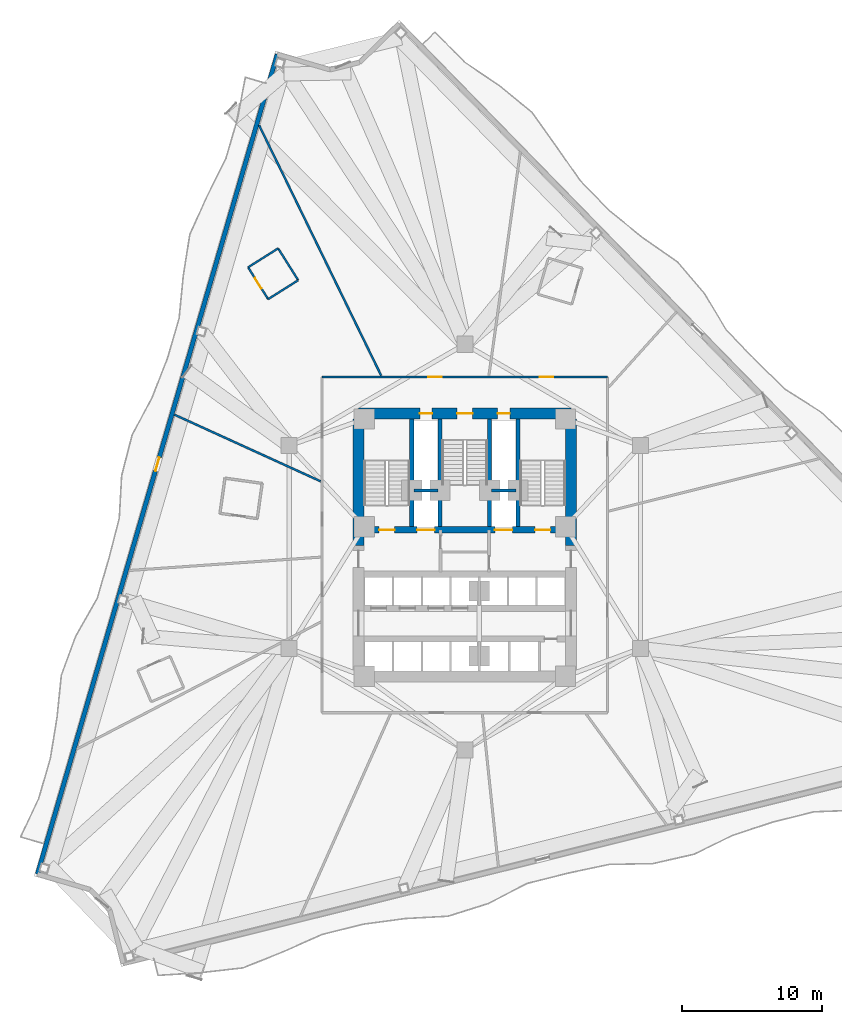
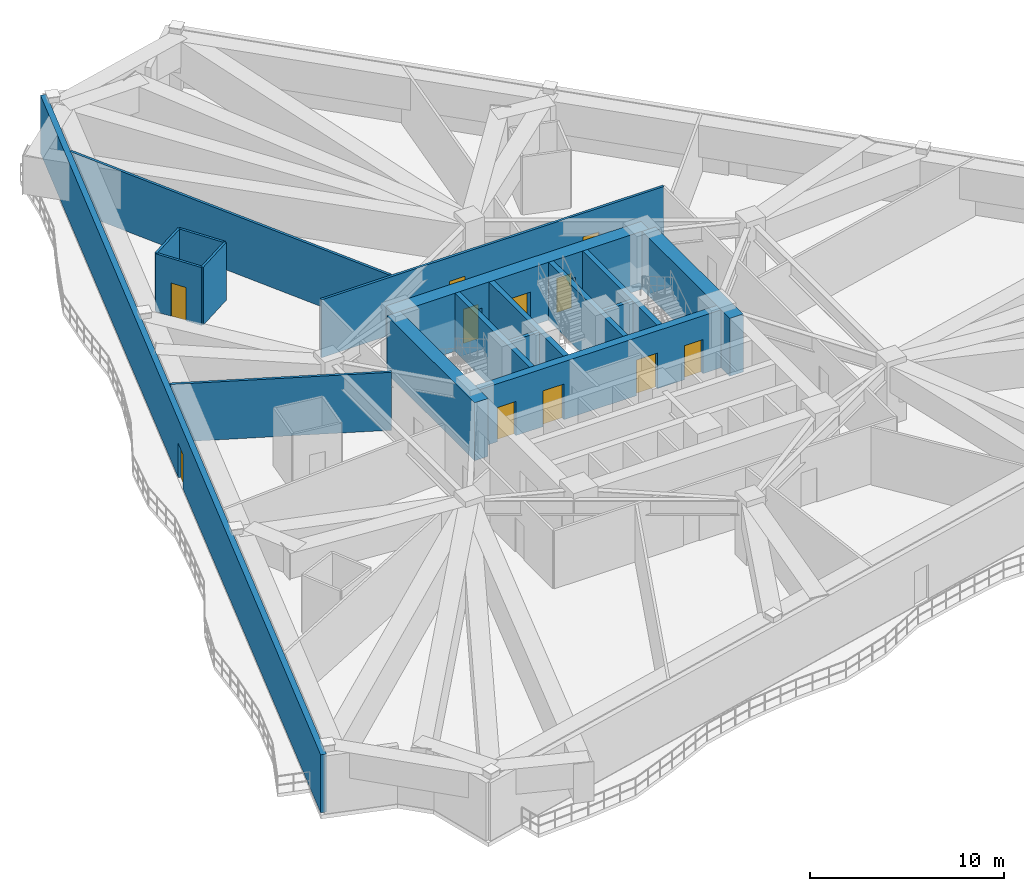
# One storey, part 9 of 14: 18 walls, 11 doors, 11 openings.
"""IFC4 building model written with IfcOpenShell, lengths in metres."""

from ifc_helpers import new_model, si_unit, direction, frame, frame_2d, origin, place, context, subcontext, project, spatial, rectangle, extrude, material, layer, layer_set, type_object, element, fill, save


model = new_model("IFC4")

# Units and contexts
model_context = context("Model", 3, precision=1e-05, world=origin(), true_north=direction((0.0, 1.0)))
body_context = subcontext(model_context, "Body", "Model", "MODEL_VIEW")
ifc_project = project(units=[si_unit("LENGTHUNIT", "METRE"), si_unit("AREAUNIT", "SQUARE_METRE"), si_unit("VOLUMEUNIT", "CUBIC_METRE"), si_unit("PLANEANGLEUNIT", "RADIAN"), si_unit("MASSUNIT", "GRAM", prefix="KILO")], contexts=[model_context])

# Site, building, storey
site_placement = place(None, origin())
site = spatial("IfcSite", under=ifc_project, at=site_placement, CompositionType="ELEMENT")
building_placement = place(site_placement, origin())
building = spatial("IfcBuilding", under=site, at=building_placement, Name="Apsidion Concourse Tower", CompositionType="ELEMENT")
storey_placement = place(building_placement, frame((0.0, 0.0, 123.0)))
storey = spatial("IfcBuildingStorey", under=building, at=storey_placement, Name="L28", CompositionType="ELEMENT", Elevation=123.0)

# Wall, opening, door
ifc_material_1 = material(Name="Precast concrete C40/50", Category="concrete")
ifc_layer_1 = layer(ifc_material_1, 0.320068359375)
ifc_layer_set_1 = layer_set([ifc_layer_1], Name="Precast concrete C40/50")
wall_type_1 = type_object("IfcWallType", Name="WL-EXT-320", PredefinedType="STANDARD", material=ifc_layer_set_1)
wall_1_placement = place(storey_placement, frame((-30.55908203125, -23.389404296875, 0.0), z_axis=(0.0, 0.0, 1.0), x_axis=(0.280769703207, 0.95977516834, 0.0)))
wall_1 = element("IfcWall", 1, at=wall_1_placement, inside=storey, type_object=wall_type_1, Name="L28 Precast Stone Facade Wall 09", PredefinedType="STANDARD", context=body_context, shape_type="SweptSolid", body=[
    extrude(rectangle(XDim=61.07568359375, YDim=0.320068359375, at=frame_2d((30.537841796875, 0.0))), origin(), (0.0, 0.0, 1.0), 3.64990234375),
])
opening_1_placement = place(wall_1_placement, frame((30.037841796875, 0.0, 0.0)))
opening_1 = element("IfcOpeningElement", 2, at=opening_1_placement, cuts=wall_1, Name="Opening D-T1L", PredefinedType="OPENING", context=body_context, shape_type="SweptSolid", body=[
    extrude(rectangle(XDim=1.0, YDim=2.14990234375, at=frame_2d((0.5, 1.074951171875))), frame((0.0, 0.169921875, 0.0), z_axis=(0.0, -1.0, 0.0), x_axis=(1.0, 0.0, 0.0)), (0.0, 0.0, 1.0), 0.340087890625),
])
ifc_material_2 = material(Name="Anodised aluminium EN AW-6063 T6", Category="aluminium")
door_type_1 = type_object("IfcDoorType", Name="DR-TER-1022L", OperationType="SINGLE_SWING_LEFT", PredefinedType="DOOR", material=ifc_material_2)
door_1_placement = place(opening_1_placement, origin())
door_1 = element("IfcDoor", 3, at=door_1_placement, inside=storey, type_object=door_type_1, Name="L28 Balcony Access Door 1", OperationType="SINGLE_SWING_LEFT", OverallHeight=2.14990234375, OverallWidth=1.0, PredefinedType="DOOR", context=body_context, shape_type="SweptSolid", body=[
    extrude(rectangle(XDim=1.0, YDim=2.14990234375, at=frame_2d((0.5, 1.074951171875))), frame((0.0, 0.02490234375, 0.0), z_axis=(0.0, -1.0, 0.0), x_axis=(1.0, 0.0, 0.0)), (0.0, 0.0, 1.0), 0.050048828125),
])
fill(opening_1, door_1)

# Walls
ifc_material_3 = material(Name="Gypsum plasterboard partition")
ifc_layer_2 = layer(ifc_material_3, 0.139892578125)
ifc_layer_set_2 = layer_set([ifc_layer_2], Name="Gypsum plasterboard partition")
wall_type_2 = type_object("IfcWallType", Name="WL-INT-PAR-140", PredefinedType="PARTITIONING", material=ifc_layer_set_2)
wall_2_placement = place(storey_placement, frame((-11.913330078125, 19.077392578125, 0.0), z_axis=(0.0, 0.0, 1.0), x_axis=(-0.532834933534, 0.846219199502, 0.0)))
element("IfcWall", 4, at=wall_2_placement, inside=storey, type_object=wall_type_2, Name="L28 Interior Partition WL-L28-POD-ENS08-S1", PredefinedType="PARTITIONING", context=body_context, shape_type="SweptSolid", body=[
    extrude(rectangle(XDim=2.68994140625, YDim=0.139892578125, at=frame_2d((1.344970703125, 0.0))), origin(), (0.0, 0.0, 1.0), 3.64990234375),
])
wall_3_placement = place(storey_placement, frame((-13.3466796875, 21.353759765625, 0.0), z_axis=(0.0, 0.0, 1.0), x_axis=(-0.846200737115, -0.532864253358, 0.0)))
element("IfcWall", 5, at=wall_3_placement, inside=storey, type_object=wall_type_2, Name="L28 Interior Partition WL-L28-POD-ENS08-S2", PredefinedType="PARTITIONING", context=body_context, shape_type="SweptSolid", body=[
    extrude(rectangle(XDim=2.5400390625, YDim=0.139892578125, at=frame_2d((1.27001953125, 0.0))), origin(), (0.0, 0.0, 1.0), 3.64990234375),
])

# Wall, opening, door
wall_4_placement = place(storey_placement, frame((-15.49609375, 20.000244140625, 0.0), z_axis=(0.0, 0.0, 1.0), x_axis=(0.532875857991, -0.846193429407, 0.0)))
wall_4 = element("IfcWall", 6, at=wall_4_placement, inside=storey, type_object=wall_type_2, Name="L28 Interior Partition WL-L28-POD-ENS08-S3", PredefinedType="PARTITIONING", context=body_context, shape_type="SweptSolid", body=[
    extrude(rectangle(XDim=2.68994140625, YDim=0.139892578125, at=frame_2d((1.344970703125, 0.0))), origin(), (0.0, 0.0, 1.0), 3.64990234375),
])
opening_2_placement = place(wall_4_placement, frame((0.905029296875, 0.0, 0.0)))
opening_2 = element("IfcOpeningElement", 7, at=opening_2_placement, cuts=wall_4, Name="Opening D-03L", PredefinedType="OPENING", context=body_context, shape_type="SweptSolid", body=[
    extrude(rectangle(XDim=0.8798828125, YDim=2.10009765625, at=frame_2d((0.43994140625, 1.050048828125))), frame((0.0, 0.080078125, 0.0), z_axis=(0.0, -1.0, 0.0), x_axis=(1.0, 0.0, 0.0)), (0.0, 0.0, 1.0), 0.159912109375),
])
door_type_2 = type_object("IfcDoorType", Name="DR-INT-D03L", OperationType="SINGLE_SWING_LEFT", PredefinedType="DOOR", material=ifc_material_2)
door_2_placement = place(opening_2_placement, origin())
door_2 = element("IfcDoor", 8, at=door_2_placement, inside=storey, type_object=door_type_2, Name="L28 Guest En-Suite Bathroom Door ENS08", OperationType="SINGLE_SWING_LEFT", OverallHeight=2.10009765625, OverallWidth=0.8798828125, PredefinedType="DOOR", context=body_context, shape_type="SweptSolid", body=[
    extrude(rectangle(XDim=0.8798828125, YDim=2.10009765625, at=frame_2d((0.43994140625, 1.050048828125))), frame((0.0, 0.02490234375, 0.0), z_axis=(0.0, -1.0, 0.0), x_axis=(1.0, 0.0, 0.0)), (0.0, 0.0, 1.0), 0.050048828125),
])
fill(opening_2, door_2)

# Wall
wall_5_placement = place(storey_placement, frame((-14.062744140625, 17.72412109375, 0.0), z_axis=(0.0, 0.0, 1.0), x_axis=(0.846244075981, 0.53279542403, 0.0)))
element("IfcWall", 9, at=wall_5_placement, inside=storey, type_object=wall_type_2, Name="L28 Interior Partition WL-L28-POD-ENS08-S4", PredefinedType="PARTITIONING", context=body_context, shape_type="SweptSolid", body=[
    extrude(rectangle(XDim=2.5400390625, YDim=0.139892578125, at=frame_2d((1.27001953125, 0.0))), origin(), (0.0, 0.0, 1.0), 3.64990234375),
])

# Wall, openings, doors
ifc_layer_3 = layer(ifc_material_3, 0.14990234375)
ifc_layer_set_3 = layer_set([ifc_layer_3], Name="Gypsum plasterboard partition")
wall_type_3 = type_object("IfcWallType", Name="WL-INT-PAR-150", PredefinedType="PARTITIONING", material=ifc_layer_set_3)
wall_6_placement = place(storey_placement, frame((-10.199951171875, 12.14990234375, 0.0), z_axis=(0.0, 0.0, 1.0), x_axis=(1.0, 0.0, 0.0)))
wall_6 = element("IfcWall", 10, at=wall_6_placement, inside=storey, type_object=wall_type_3, Name="L28 Interior Partition WL-L28-CORR-01", PredefinedType="PARTITIONING", context=body_context, shape_type="SweptSolid", body=[
    extrude(rectangle(XDim=20.39990234375, YDim=0.14990234375, at=frame_2d((10.199951171875, 0.0))), origin(), (0.0, 0.0, 1.0), 3.64990234375),
])
opening_3_placement = place(wall_6_placement, frame((15.557373046875, 0.0, 0.0)))
opening_3 = element("IfcOpeningElement", 11, at=opening_3_placement, cuts=wall_6, Name="Opening D-01L", PredefinedType="OPENING", context=body_context, shape_type="SweptSolid", body=[
    extrude(rectangle(XDim=0.949951171875, YDim=2.14990234375, at=frame_2d((0.47509765625, 1.074951171875))), frame((0.0, 0.0849609375, 0.0), z_axis=(0.0, -1.0, 0.0), x_axis=(1.0, 0.0, 0.0)), (0.0, 0.0, 1.0), 0.169921875),
])
opening_4_placement = place(wall_6_placement, frame((7.601318359375, 0.0, 0.0)))
opening_4 = element("IfcOpeningElement", 12, at=opening_4_placement, cuts=wall_6, Name="Opening D-01R", PredefinedType="OPENING", context=body_context, shape_type="SweptSolid", body=[
    extrude(rectangle(XDim=0.949951171875, YDim=2.14990234375, at=frame_2d((0.47509765625, 1.074951171875))), frame((0.0, 0.0849609375, 0.0), z_axis=(0.0, -1.0, 0.0), x_axis=(1.0, 0.0, 0.0)), (0.0, 0.0, 1.0), 0.169921875),
])
ifc_material_4 = material(Name="Brushed stainless steel 316", Category="steel")
door_type_3 = type_object("IfcDoorType", Name="DR-INT-D01L", OperationType="SINGLE_SWING_LEFT", PredefinedType="DOOR", material=ifc_material_4)
door_3_placement = place(opening_3_placement, origin())
door_3 = element("IfcDoor", 13, at=door_3_placement, inside=storey, type_object=door_type_3, Name="L28 Corridor Entry Door 07", OperationType="SINGLE_SWING_LEFT", OverallHeight=2.14990234375, OverallWidth=0.949951171875, PredefinedType="DOOR", context=body_context, shape_type="SweptSolid", body=[
    extrude(rectangle(XDim=0.949951171875, YDim=2.14990234375, at=frame_2d((0.47509765625, 1.074951171875))), frame((0.0, 0.02490234375, 0.0), z_axis=(0.0, -1.0, 0.0), x_axis=(1.0, 0.0, 0.0)), (0.0, 0.0, 1.0), 0.050048828125),
])
fill(opening_3, door_3)
door_type_4 = type_object("IfcDoorType", Name="DR-INT-D01R", OperationType="SINGLE_SWING_RIGHT", PredefinedType="DOOR", material=ifc_material_4)
door_4_placement = place(opening_4_placement, origin())
door_4 = element("IfcDoor", 14, at=door_4_placement, inside=storey, type_object=door_type_4, Name="L28 Corridor Entry Door 08", OperationType="SINGLE_SWING_RIGHT", OverallHeight=2.14990234375, OverallWidth=0.949951171875, PredefinedType="DOOR", context=body_context, shape_type="SweptSolid", body=[
    extrude(rectangle(XDim=0.949951171875, YDim=2.14990234375, at=frame_2d((0.47509765625, 1.074951171875))), frame((0.0, 0.02490234375, 0.0), z_axis=(0.0, -1.0, 0.0), x_axis=(1.0, 0.0, 0.0)), (0.0, 0.0, 1.0), 0.050048828125),
])
fill(opening_4, door_4)

# Walls
wall_7_placement = place(storey_placement, frame((-5.977294921875, 12.2548828125, 0.0), z_axis=(0.0, 0.0, 1.0), x_axis=(-0.438363997838, 0.89879753304, 0.0)))
element("IfcWall", 15, at=wall_7_placement, inside=storey, type_object=wall_type_3, Name="L28 Interior Partition WL-L28-RAD-04-1", PredefinedType="PARTITIONING", context=body_context, shape_type="SweptSolid", body=[
    extrude(rectangle(XDim=19.92333984375, YDim=0.14990234375, at=frame_2d((9.961669921875, 0.0))), origin(), (0.0, 0.0, 1.0), 3.64990234375),
])
wall_8_placement = place(storey_placement, frame((-10.304931640625, 4.6962890625, 0.0), z_axis=(0.0, 0.0, 1.0), x_axis=(-0.909960939079, 0.414693970719, 0.0)))
element("IfcWall", 16, at=wall_8_placement, inside=storey, type_object=wall_type_3, Name="L28 Interior Partition WL-L28-RAD-05-1", PredefinedType="PARTITIONING", context=body_context, shape_type="SweptSolid", body=[
    extrude(rectangle(XDim=11.49609375, YDim=0.14990234375, at=frame_2d((5.748046875, 0.0))), origin(), (0.0, 0.0, 1.0), 3.64990234375),
])
ifc_layer_4 = layer(ifc_material_3, 0.199951171875)
ifc_layer_set_4 = layer_set([ifc_layer_4], Name="Gypsum plasterboard partition")
wall_type_4 = type_object("IfcWallType", Name="WL-INT-PAR-200", PredefinedType="PARTITIONING", material=ifc_layer_set_4)
for number, where, z_axis, x_axis, name in (
    (17, (-3.64990234375, 4.050048828125, 0.0), (0.0, 0.0, 1.0), (1.0, 0.0, 0.0), "L28 Interior Partition WL-L28-FF1-N"),
    (18, (1.919921875, 4.050048828125, 0.0), (0.0, 0.0, 1.0), (1.0, 0.0, 0.0), "L28 Interior Partition WL-L28-FF2-N"),
):
    element("IfcWall", number, at=place(storey_placement, frame(where, z_axis=z_axis, x_axis=x_axis)), inside=storey, type_object=wall_type_4, Name=name, PredefinedType="PARTITIONING", context=body_context, shape_type="SweptSolid", body=[
        extrude(rectangle(XDim=1.72998046875, YDim=0.199951171875, at=frame_2d((0.864990234375, 0.0))), origin(), (0.0, 0.0, 1.0), 3.64990234375),
    ])
ifc_material_5 = material(Name="Concrete C50/60", Category="concrete")
ifc_layer_5 = layer(ifc_material_5, 0.300048828125)
ifc_layer_set_5 = layer_set([ifc_layer_5], Name="Concrete C50/60")
wall_type_5 = type_object("IfcWallType", Name="WL-SH-300", PredefinedType="SHEAR", material=ifc_layer_set_5)
for number, where, z_axis, x_axis, name in (
    (19, (-3.800048828125, 1.449951171875, 0.0), (0.0, 0.0, 1.0), (0.0, 1.0, 0.0), "L28 Central Core Shear Wall V1"),
    (20, (-1.77490234375, 1.449951171875, 0.0), (0.0, 0.0, 1.0), (0.0, 1.0, 0.0), "L28 Central Core Shear Wall V2"),
    (21, (1.77490234375, 1.449951171875, 0.0), (0.0, 0.0, 1.0), (0.0, 1.0, 0.0), "L28 Central Core Shear Wall V3"),
    (22, (3.800048828125, 1.449951171875, 0.0), (0.0, 0.0, 1.0), (0.0, 1.0, 0.0), "L28 Central Core Shear Wall V4"),
):
    element("IfcWall", number, at=place(storey_placement, frame(where, z_axis=z_axis, x_axis=x_axis)), inside=storey, type_object=wall_type_5, Name=name, PredefinedType="SHEAR", context=body_context, shape_type="SweptSolid", body=[
        extrude(rectangle(XDim=7.699951171875, YDim=0.300048828125, at=frame_2d((3.85009765625, 0.0))), origin(), (0.0, 0.0, 1.0), 3.64990234375),
    ])

# Wall, openings, doors
ifc_material_6 = material(Name="Concrete C60/75", Category="concrete")
ifc_layer_6 = layer(ifc_material_6, 0.449951171875)
ifc_layer_set_6 = layer_set([ifc_layer_6], Name="Concrete C60/75")
wall_type_6 = type_object("IfcWallType", Name="WL-SH-450", PredefinedType="SHEAR", material=ifc_layer_set_6)
wall_9_placement = place(storey_placement, frame((-7.199951171875, 1.22509765625, 0.0), z_axis=(0.0, 0.0, 1.0), x_axis=(1.0, 0.0, 0.0)))
wall_9 = element("IfcWall", 23, at=wall_9_placement, inside=storey, type_object=wall_type_6, Name="L28 Central Core Shear Wall M1", PredefinedType="SHEAR", context=body_context, shape_type="SweptSolid", body=[
    extrude(rectangle(XDim=14.39990234375, YDim=0.449951171875, at=frame_2d((7.199951171875, 0.0))), origin(), (0.0, 0.0, 1.0), 3.64990234375),
])
opening_5_placement = place(wall_9_placement, frame((3.794921875, 0.0, 0.0)))
opening_5 = element("IfcOpeningElement", 24, at=opening_5_placement, cuts=wall_9, Name="Opening LD-FF", PredefinedType="OPENING", context=body_context, shape_type="SweptSolid", body=[
    extrude(rectangle(XDim=1.25, YDim=2.25, at=frame_2d((0.625, 1.125))), frame((0.0, 0.23486328125, 0.0), z_axis=(0.0, -1.0, 0.0), x_axis=(1.0, 0.0, 0.0)), (0.0, 0.0, 1.0), 0.469970703125),
])
opening_6_placement = place(wall_9_placement, frame((9.35498046875, 0.0, 0.0)))
opening_6 = element("IfcOpeningElement", 25, at=opening_6_placement, cuts=wall_9, Name="Opening LD-FF", PredefinedType="OPENING", context=body_context, shape_type="SweptSolid", body=[
    extrude(rectangle(XDim=1.25, YDim=2.25, at=frame_2d((0.625, 1.125))), frame((0.0, 0.23486328125, 0.0), z_axis=(0.0, -1.0, 0.0), x_axis=(1.0, 0.0, 0.0)), (0.0, 0.0, 1.0), 0.469970703125),
])
opening_7_placement = place(wall_9_placement, frame((1.074951171875, 0.0, 0.0)))
opening_7 = element("IfcOpeningElement", 26, at=opening_7_placement, cuts=wall_9, Name="Opening D-STL", PredefinedType="OPENING", context=body_context, shape_type="SweptSolid", body=[
    extrude(rectangle(XDim=1.10009765625, YDim=2.14990234375, at=frame_2d((0.550048828125, 1.074951171875))), frame((0.0, 0.23486328125, 0.0), z_axis=(0.0, -1.0, 0.0), x_axis=(1.0, 0.0, 0.0)), (0.0, 0.0, 1.0), 0.469970703125),
])
opening_8_placement = place(wall_9_placement, frame((12.22509765625, 0.0, 0.0)))
opening_8 = element("IfcOpeningElement", 27, at=opening_8_placement, cuts=wall_9, Name="Opening D-STR", PredefinedType="OPENING", context=body_context, shape_type="SweptSolid", body=[
    extrude(rectangle(XDim=1.10009765625, YDim=2.14990234375, at=frame_2d((0.550048828125, 1.074951171875))), frame((0.0, 0.23486328125, 0.0), z_axis=(0.0, -1.0, 0.0), x_axis=(1.0, 0.0, 0.0)), (0.0, 0.0, 1.0), 0.469970703125),
])
door_type_5 = type_object("IfcDoorType", Name="DR-INT-ST1L", OperationType="SINGLE_SWING_LEFT", PredefinedType="DOOR", material=ifc_material_4)
door_5_placement = place(opening_7_placement, origin())
door_5 = element("IfcDoor", 28, at=door_5_placement, inside=storey, type_object=door_type_5, Name="L28 Core Exit Stair ST1 Door", OperationType="SINGLE_SWING_LEFT", OverallHeight=2.14990234375, OverallWidth=1.10009765625, PredefinedType="DOOR", context=body_context, shape_type="SweptSolid", body=[
    extrude(rectangle(XDim=1.10009765625, YDim=2.14990234375, at=frame_2d((0.550048828125, 1.074951171875))), frame((0.0, 0.02490234375, 0.0), z_axis=(0.0, -1.0, 0.0), x_axis=(1.0, 0.0, 0.0)), (0.0, 0.0, 1.0), 0.050048828125),
])
fill(opening_7, door_5)
door_type_6 = type_object("IfcDoorType", Name="DR-INT-ST1R", OperationType="SINGLE_SWING_RIGHT", PredefinedType="DOOR", material=ifc_material_4)
door_6_placement = place(opening_8_placement, origin())
door_6 = element("IfcDoor", 29, at=door_6_placement, inside=storey, type_object=door_type_6, Name="L28 Core Exit Stair ST2 Door", OperationType="SINGLE_SWING_RIGHT", OverallHeight=2.14990234375, OverallWidth=1.10009765625, PredefinedType="DOOR", context=body_context, shape_type="SweptSolid", body=[
    extrude(rectangle(XDim=1.10009765625, YDim=2.14990234375, at=frame_2d((0.550048828125, 1.074951171875))), frame((0.0, 0.02490234375, 0.0), z_axis=(0.0, -1.0, 0.0), x_axis=(1.0, 0.0, 0.0)), (0.0, 0.0, 1.0), 0.050048828125),
])
fill(opening_8, door_6)
door_type_7 = type_object("IfcDoorType", Name="DR-LD-FSAE", OperationType="DOUBLE_DOOR_SLIDING", PredefinedType="DOOR", material=ifc_material_4)
door_7_placement = place(opening_5_placement, origin())
door_7 = element("IfcDoor", 30, at=door_7_placement, inside=storey, type_object=door_type_7, Name="L28 Lift Landing Door FF1", OperationType="DOUBLE_DOOR_SLIDING", OverallHeight=2.25, OverallWidth=1.25, PredefinedType="DOOR", context=body_context, shape_type="SweptSolid", body=[
    extrude(rectangle(XDim=1.25, YDim=2.25, at=frame_2d((0.625, 1.125))), frame((0.0, 0.02490234375, 0.0), z_axis=(0.0, -1.0, 0.0), x_axis=(1.0, 0.0, 0.0)), (0.0, 0.0, 1.0), 0.050048828125),
])
fill(opening_5, door_7)
door_8_placement = place(opening_6_placement, origin())
door_8 = element("IfcDoor", 31, at=door_8_placement, inside=storey, type_object=door_type_7, Name="L28 Lift Landing Door FF2", OperationType="DOUBLE_DOOR_SLIDING", OverallHeight=2.25, OverallWidth=1.25, PredefinedType="DOOR", context=body_context, shape_type="SweptSolid", body=[
    extrude(rectangle(XDim=1.25, YDim=2.25, at=frame_2d((0.625, 1.125))), frame((0.0, 0.02490234375, 0.0), z_axis=(0.0, -1.0, 0.0), x_axis=(1.0, 0.0, 0.0)), (0.0, 0.0, 1.0), 0.050048828125),
])
fill(opening_6, door_8)

ifc_layer_7 = layer(ifc_material_6, 0.800048828125)
ifc_layer_set_7 = layer_set([ifc_layer_7], Name="Concrete C60/75")
wall_type_7 = type_object("IfcWallType", Name="WL-SH-800", PredefinedType="SHEAR", material=ifc_layer_set_7)
wall_10_placement = place(storey_placement, frame((-7.60009765625, 9.550048828125, 0.0), z_axis=(0.0, 0.0, 1.0), x_axis=(1.0, 0.0, 0.0)))
wall_10 = element("IfcWall", 32, at=wall_10_placement, inside=storey, type_object=wall_type_7, Name="L28 Central Core Shear Wall N", PredefinedType="SHEAR", context=body_context, shape_type="SweptSolid", body=[
    extrude(rectangle(XDim=15.2001953125, YDim=0.800048828125, at=frame_2d((7.60009765625, 0.0))), origin(), (0.0, 0.0, 1.0), 3.64990234375),
])
opening_9_placement = place(wall_10_placement, frame((7.050048828125, 0.0, 0.0)))
opening_9 = element("IfcOpeningElement", 33, at=opening_9_placement, cuts=wall_10, Name="Opening D-STL", PredefinedType="OPENING", context=body_context, shape_type="SweptSolid", body=[
    extrude(rectangle(XDim=1.10009765625, YDim=2.14990234375, at=frame_2d((0.550048828125, 1.074951171875))), frame((0.0, 0.41015625, 0.0), z_axis=(0.0, -1.0, 0.0), x_axis=(1.0, 0.0, 0.0)), (0.0, 0.0, 1.0), 0.820068359375),
])
opening_10_placement = place(wall_10_placement, frame((4.3798828125, 0.0, 0.0)))
opening_10 = element("IfcOpeningElement", 34, at=opening_10_placement, cuts=wall_10, Name="Opening D-05L", PredefinedType="OPENING", context=body_context, shape_type="SweptSolid", body=[
    extrude(rectangle(XDim=0.8798828125, YDim=2.14990234375, at=frame_2d((0.43994140625, 1.074951171875))), frame((0.0, 0.41015625, 0.0), z_axis=(0.0, -1.0, 0.0), x_axis=(1.0, 0.0, 0.0)), (0.0, 0.0, 1.0), 0.820068359375),
])
opening_11_placement = place(wall_10_placement, frame((9.93994140625, 0.0, 0.0)))
opening_11 = element("IfcOpeningElement", 35, at=opening_11_placement, cuts=wall_10, Name="Opening D-05R", PredefinedType="OPENING", context=body_context, shape_type="SweptSolid", body=[
    extrude(rectangle(XDim=0.8798828125, YDim=2.14990234375, at=frame_2d((0.43994140625, 1.074951171875))), frame((0.0, 0.41015625, 0.0), z_axis=(0.0, -1.0, 0.0), x_axis=(1.0, 0.0, 0.0)), (0.0, 0.0, 1.0), 0.820068359375),
])
door_type_8 = type_object("IfcDoorType", Name="DR-INT-D05L", OperationType="SINGLE_SWING_LEFT", PredefinedType="DOOR", material=ifc_material_4)
door_9_placement = place(opening_10_placement, origin())
door_9 = element("IfcDoor", 36, at=door_9_placement, inside=storey, type_object=door_type_8, Name="L28 Electrical Riser Shaft Access Door", OperationType="SINGLE_SWING_LEFT", OverallHeight=2.14990234375, OverallWidth=0.8798828125, PredefinedType="DOOR", context=body_context, shape_type="SweptSolid", body=[
    extrude(rectangle(XDim=0.8798828125, YDim=2.14990234375, at=frame_2d((0.43994140625, 1.074951171875))), frame((0.0, 0.02490234375, 0.0), z_axis=(0.0, -1.0, 0.0), x_axis=(1.0, 0.0, 0.0)), (0.0, 0.0, 1.0), 0.050048828125),
])
fill(opening_10, door_9)
door_type_9 = type_object("IfcDoorType", Name="DR-INT-D05R", OperationType="SINGLE_SWING_RIGHT", PredefinedType="DOOR", material=ifc_material_4)
door_10_placement = place(opening_11_placement, origin())
door_10 = element("IfcDoor", 37, at=door_10_placement, inside=storey, type_object=door_type_9, Name="L28 Mechanical Riser Shaft Access Door", OperationType="SINGLE_SWING_RIGHT", OverallHeight=2.14990234375, OverallWidth=0.8798828125, PredefinedType="DOOR", context=body_context, shape_type="SweptSolid", body=[
    extrude(rectangle(XDim=0.8798828125, YDim=2.14990234375, at=frame_2d((0.43994140625, 1.074951171875))), frame((0.0, 0.02490234375, 0.0), z_axis=(0.0, -1.0, 0.0), x_axis=(1.0, 0.0, 0.0)), (0.0, 0.0, 1.0), 0.050048828125),
])
fill(opening_11, door_10)
door_11_placement = place(opening_9_placement, origin())
door_11 = element("IfcDoor", 38, at=door_11_placement, inside=storey, type_object=door_type_5, Name="L28 Core Exit Stair ST3 Door", OperationType="SINGLE_SWING_LEFT", OverallHeight=2.14990234375, OverallWidth=1.10009765625, PredefinedType="DOOR", context=body_context, shape_type="SweptSolid", body=[
    extrude(rectangle(XDim=1.10009765625, YDim=2.14990234375, at=frame_2d((0.550048828125, 1.074951171875))), frame((0.0, 0.02490234375, 0.0), z_axis=(0.0, -1.0, 0.0), x_axis=(1.0, 0.0, 0.0)), (0.0, 0.0, 1.0), 0.050048828125),
])
fill(opening_9, door_11)

# Walls
for number, where, z_axis, x_axis, name in (
    (39, (-7.60009765625, 0.10009765625, 0.0), (0.0, 0.0, 1.0), (0.0, 1.0, 0.0), "L28 Central Core Shear Wall WN"),
    (40, (7.60009765625, 0.10009765625, 0.0), (0.0, 0.0, 1.0), (0.0, 1.0, 0.0), "L28 Central Core Shear Wall EN"),
):
    element("IfcWall", number, at=place(storey_placement, frame(where, z_axis=z_axis, x_axis=x_axis)), inside=storey, type_object=wall_type_7, Name=name, PredefinedType="SHEAR", context=body_context, shape_type="SweptSolid", body=[
        extrude(rectangle(XDim=9.0498046875, YDim=0.800048828125, at=frame_2d((4.52490234375, 0.0))), origin(), (0.0, 0.0, 1.0), 3.64990234375),
    ])

save(model, "model.ifc")
